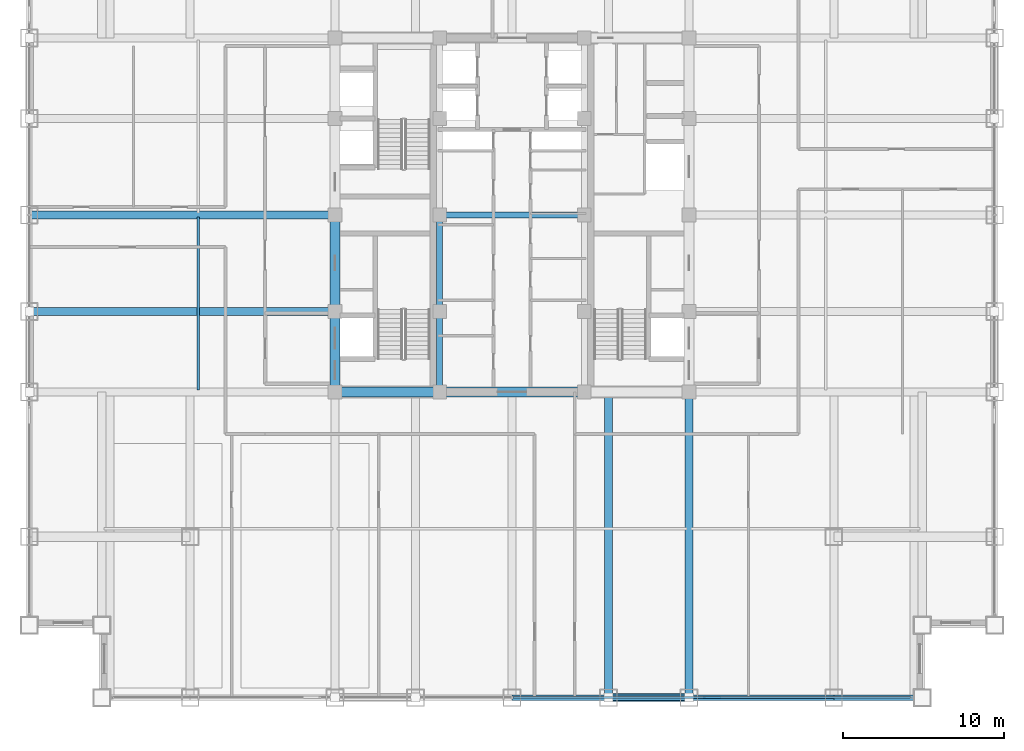
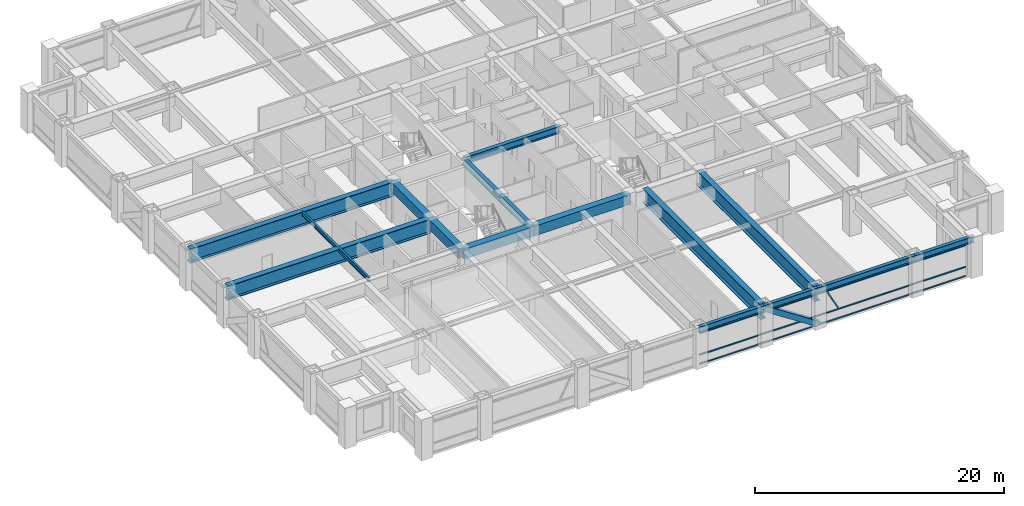
# One storey, part 7 of 26: 16 beams, 5 members, 1 element without a shape of its own.
"""IFC4 building model written with IfcOpenShell, lengths in metres."""

from ifc_helpers import new_model, si_unit, direction, frame, origin, origin_2d, place, context, subcontext, project, spatial, rectangle, hollow_rectangle, i_section, extrude, source, transform, mapped, material, material_profile, profile_set, type_object, element, aggregate, save


model = new_model("IFC4")

# Units and contexts
model_context = context("Model", 3, precision=1e-05, world=origin(), true_north=direction((0.0, 1.0)))
body_context = subcontext(model_context, "Body", "Model", "MODEL_VIEW")
ifc_project = project(units=[si_unit("LENGTHUNIT", "METRE"), si_unit("AREAUNIT", "SQUARE_METRE"), si_unit("VOLUMEUNIT", "CUBIC_METRE"), si_unit("PLANEANGLEUNIT", "RADIAN"), si_unit("MASSUNIT", "GRAM", prefix="KILO")], contexts=[model_context])

# Site, building, storey
site_placement = place(None, origin())
site = spatial("IfcSite", under=ifc_project, at=site_placement, CompositionType="ELEMENT")
building_placement = place(site_placement, origin())
building = spatial("IfcBuilding", under=site, at=building_placement, Name="Khorayat Bourse Tower", CompositionType="ELEMENT")
storey_placement = place(building_placement, frame((0.0, 0.0, 207.10009765625)))
storey = spatial("IfcBuildingStorey", under=building, at=storey_placement, Name="L48", CompositionType="ELEMENT", Elevation=207.10009765625)

# Beams
ifc_material_1 = material(Name="Steel ASTM A992 Grade 50", Category="steel")
ifc_material_profile_1 = material_profile(ifc_material_1, i_section(OverallWidth=0.35498046875, OverallDepth=0.695068359375, WebThickness=0.015380859375, FlangeThickness=0.02490234375, FilletRadius=0.01806640625, at=origin_2d()), Name="W690X217")
ifc_profile_set_1 = profile_set([ifc_material_profile_1], Name="Steel ASTM A992 Grade 50")
beam_type_1 = type_object("IfcBeamType", Name="BM-GIRD-690", PredefinedType="BEAM", material=ifc_profile_set_1)
shared_shape_1 = source(origin(), body_context, "Body", "SweptSolid", [
    extrude(i_section(OverallWidth=0.35498046875, OverallDepth=0.695068359375, WebThickness=0.015380859375, FlangeThickness=0.02490234375, FilletRadius=0.01806640625, at=origin_2d()), origin(), (0.0, 0.0, 1.0), 5.0),
])
beam_1_placement = place(storey_placement, frame((-4.5, -11.0, 3.432373046875), z_axis=(0.0, 1.0, 0.0), x_axis=(-1.0, 0.0, 0.0)))
element("IfcBeam", 1, at=beam_1_placement, inside=storey, type_object=beam_type_1, Name="L48 BM-GIRD-690 BM-L48-CRX-05", PredefinedType="BEAM", context=body_context, shape_type="MappedRepresentation", body=[
    mapped(shared_shape_1, transform((0.0, 0.0, 0.0), scale=1.0)),
])
shared_shape_2 = source(origin(), body_context, "Body", "SweptSolid", [
    extrude(i_section(OverallWidth=0.35498046875, OverallDepth=0.695068359375, WebThickness=0.015380859375, FlangeThickness=0.02490234375, FilletRadius=0.01806640625, at=origin_2d()), origin(), (0.0, 0.0, 1.0), 6.0),
])
beam_2_placement = place(storey_placement, frame((-4.5, -6.0, 3.432373046875), z_axis=(0.0, 1.0, 0.0), x_axis=(-1.0, 0.0, 0.0)))
element("IfcBeam", 2, at=beam_2_placement, inside=storey, type_object=beam_type_1, Name="L48 BM-GIRD-690 BM-L48-CRX-06", PredefinedType="BEAM", context=body_context, shape_type="MappedRepresentation", body=[
    mapped(shared_shape_2, transform((0.0, 0.0, 0.0), scale=1.0)),
])
shared_shape_3 = source(origin(), body_context, "Body", "SweptSolid", [
    extrude(i_section(OverallWidth=0.35498046875, OverallDepth=0.695068359375, WebThickness=0.015380859375, FlangeThickness=0.02490234375, FilletRadius=0.01806640625, at=origin_2d()), origin(), (0.0, 0.0, 1.0), 9.0),
])
beam_3_placement = place(storey_placement, frame((-4.5, 0.0, 3.432373046875), z_axis=(1.0, 0.0, 0.0), x_axis=(0.0, 1.0, 0.0)))
element("IfcBeam", 3, at=beam_3_placement, inside=storey, type_object=beam_type_1, Name="L48 BM-GIRD-690 BM-L48-CRY-23", PredefinedType="BEAM", context=body_context, shape_type="MappedRepresentation", body=[
    mapped(shared_shape_3, transform((0.0, 0.0, 0.0), scale=1.0)),
])
ifc_material_profile_2 = material_profile(ifc_material_1, i_section(OverallWidth=0.180908203125, OverallDepth=0.4169921875, WebThickness=0.010986328125, FlangeThickness=0.018310546875, FilletRadius=0.011962890625, at=origin_2d()), Name="W410X85")
ifc_profile_set_2 = profile_set([ifc_material_profile_2], Name="Steel ASTM A992 Grade 50")
beam_type_2 = type_object("IfcBeamType", Name="BM-JOIST-410", PredefinedType="JOIST", material=ifc_profile_set_2)
shared_shape_4 = source(origin(), body_context, "Body", "SweptSolid", [
    extrude(i_section(OverallWidth=0.180908203125, OverallDepth=0.4169921875, WebThickness=0.010986328125, FlangeThickness=0.018310546875, FilletRadius=0.011962890625, at=origin_2d()), origin(), (0.0, 0.0, 1.0), 10.740234375),
])
beam_4_placement = place(storey_placement, frame((-19.5, -10.8701171875, 3.5712890625), z_axis=(0.0, 1.0, 0.0), x_axis=(-1.0, 0.0, 0.0)))
element("IfcBeam", 4, at=beam_4_placement, inside=storey, type_object=beam_type_2, Name="L48 BM-JOIST-410 BM-L48-JSTY-110", PredefinedType="JOIST", context=body_context, shape_type="MappedRepresentation", body=[
    mapped(shared_shape_4, transform((0.0, 0.0, 0.0), scale=1.0)),
])
ifc_material_profile_3 = material_profile(ifc_material_1, i_section(OverallWidth=0.324951171875, OverallDepth=0.615966796875, WebThickness=0.013916015625, FlangeThickness=0.021484375, FilletRadius=0.01611328125, at=origin_2d()), Name="W610X174")
ifc_profile_set_3 = profile_set([ifc_material_profile_3], Name="Steel ASTM A992 Grade 50")
beam_type_3 = type_object("IfcBeamType", Name="BM-SPAN-610", PredefinedType="SPANDREL", material=ifc_profile_set_3)
shared_shape_5 = source(origin(), body_context, "Body", "SweptSolid", [
    extrude(i_section(OverallWidth=0.324951171875, OverallDepth=0.615966796875, WebThickness=0.013916015625, FlangeThickness=0.021484375, FilletRadius=0.01611328125, at=origin_2d()), origin(), (0.0, 0.0, 1.0), 5.5),
])
beam_5_placement = place(storey_placement, frame((20.0, -30.0, 3.471923828125), z_axis=(1.0, 0.0, 0.0), x_axis=(0.0, 1.0, 0.0)))
element("IfcBeam", 5, at=beam_5_placement, inside=storey, type_object=beam_type_3, Name="L48 BM-SPAN-610 BM-L48-SPN-031", PredefinedType="SPANDREL", context=body_context, shape_type="MappedRepresentation", body=[
    mapped(shared_shape_5, transform((0.0, 0.0, 0.0), scale=1.0)),
])
shared_shape_6 = source(origin(), body_context, "Body", "SweptSolid", [
    extrude(i_section(OverallWidth=0.324951171875, OverallDepth=0.615966796875, WebThickness=0.013916015625, FlangeThickness=0.021484375, FilletRadius=0.01611328125, at=origin_2d()), origin(), (0.0, 0.0, 1.0), 9.0),
])
beam_6_placement = place(storey_placement, frame((11.0, -30.0, 3.471923828125), z_axis=(1.0, 0.0, 0.0), x_axis=(0.0, 1.0, 0.0)))
element("IfcBeam", 6, at=beam_6_placement, inside=storey, type_object=beam_type_3, Name="L48 BM-SPAN-610 BM-L48-SPN-030", PredefinedType="SPANDREL", context=body_context, shape_type="MappedRepresentation", body=[
    mapped(shared_shape_6, transform((0.0, 0.0, 0.0), scale=1.0)),
])
shared_shape_7 = source(origin(), body_context, "Body", "SweptSolid", [
    extrude(i_section(OverallWidth=0.324951171875, OverallDepth=0.615966796875, WebThickness=0.013916015625, FlangeThickness=0.021484375, FilletRadius=0.01611328125, at=origin_2d()), origin(), (0.0, 0.0, 1.0), 5.0),
])
beam_7_placement = place(storey_placement, frame((6.0, -30.0, 3.471923828125), z_axis=(1.0, 0.0, 0.0), x_axis=(0.0, 1.0, 0.0)))
element("IfcBeam", 7, at=beam_7_placement, inside=storey, type_object=beam_type_3, Name="L48 BM-SPAN-610 BM-L48-SPN-029", PredefinedType="SPANDREL", context=body_context, shape_type="MappedRepresentation", body=[
    mapped(shared_shape_7, transform((0.0, 0.0, 0.0), scale=1.0)),
])
shared_shape_8 = source(origin(), body_context, "Body", "SweptSolid", [
    extrude(i_section(OverallWidth=0.324951171875, OverallDepth=0.615966796875, WebThickness=0.013916015625, FlangeThickness=0.021484375, FilletRadius=0.01611328125, at=origin_2d()), origin(), (0.0, 0.0, 1.0), 6.0),
])
beam_8_placement = place(storey_placement, frame((0.0, -30.0, 3.471923828125), z_axis=(1.0, 0.0, 0.0), x_axis=(0.0, 1.0, 0.0)))
element("IfcBeam", 8, at=beam_8_placement, inside=storey, type_object=beam_type_3, Name="L48 BM-SPAN-610 BM-L48-SPN-028", PredefinedType="SPANDREL", context=body_context, shape_type="MappedRepresentation", body=[
    mapped(shared_shape_8, transform((0.0, 0.0, 0.0), scale=1.0)),
])

# Member
ifc_material_2 = material(Name="Steel EN 10025-4 S460M", Category="steel")
ifc_material_profile_4 = material_profile(ifc_material_2, hollow_rectangle(XDim=0.5, YDim=0.5, WallThickness=0.028076171875, at=origin_2d()), Name="HSS 500x500x28")
ifc_profile_set_4 = profile_set([ifc_material_profile_4], Name="Steel EN 10025-4 S460M")
member_type_1 = type_object("IfcMemberType", Name="MBR-TUBE-500", PredefinedType="BRACE", material=ifc_profile_set_4)
shared_shape_9 = source(origin(), body_context, "Body", "SweptSolid", [
    extrude(hollow_rectangle(XDim=0.5, YDim=0.5, WallThickness=0.028076171875, at=origin_2d()), origin(), (0.0, 0.0, 1.0), 5.979736328125),
])
member_1_placement = place(storey_placement, frame((6.0, -30.0, 3.52978515625), z_axis=(0.836160261256, 0.0, -0.548485202623), x_axis=(0.0, 1.0, 0.0)))
element("IfcMember", 9, at=member_1_placement, inside=storey, type_object=member_type_1, Name="L48 Perimeter Tube Brace 02", PredefinedType="BRACE", context=body_context, shape_type="MappedRepresentation", body=[
    mapped(shared_shape_9, transform((0.0, 0.0, 0.0), scale=1.0)),
])

# Beams
ifc_material_3 = material(Name="Concrete C60/75", Category="concrete")
ifc_material_profile_5 = material_profile(ifc_material_3, rectangle(XDim=0.60009765625, YDim=0.949951171875, at=origin_2d()), Name="RC 600x950")
ifc_profile_set_5 = profile_set([ifc_material_profile_5], Name="Concrete C60/75")
beam_type_4 = type_object("IfcBeamType", Name="BM-COUP-950", PredefinedType="BEAM", material=ifc_profile_set_5)
shared_shape_10 = source(origin(), body_context, "Body", "SweptSolid", [
    extrude(rectangle(XDim=0.60009765625, YDim=0.949951171875, at=origin_2d()), origin(), (0.0, 0.0, 1.0), 5.0),
])
beam_9_placement = place(storey_placement, frame((-11.0, -11.0, 3.304931640625), z_axis=(0.0, 1.0, 0.0), x_axis=(-1.0, 0.0, 0.0)))
element("IfcBeam", 10, at=beam_9_placement, inside=storey, type_object=beam_type_4, Name="L48 BM-COUP-950 BM-L48-CRX-01", PredefinedType="BEAM", context=body_context, shape_type="MappedRepresentation", body=[
    mapped(shared_shape_10, transform((0.0, 0.0, 0.0), scale=1.0)),
])
shared_shape_11 = source(origin(), body_context, "Body", "SweptSolid", [
    extrude(rectangle(XDim=0.60009765625, YDim=0.949951171875, at=origin_2d()), origin(), (0.0, 0.0, 1.0), 6.0),
])
beam_10_placement = place(storey_placement, frame((-11.0, -6.0, 3.304931640625), z_axis=(0.0, 1.0, 0.0), x_axis=(-1.0, 0.0, 0.0)))
element("IfcBeam", 11, at=beam_10_placement, inside=storey, type_object=beam_type_4, Name="L48 BM-COUP-950 BM-L48-CRX-02", PredefinedType="BEAM", context=body_context, shape_type="MappedRepresentation", body=[
    mapped(shared_shape_11, transform((0.0, 0.0, 0.0), scale=1.0)),
])
shared_shape_12 = source(origin(), body_context, "Body", "SweptSolid", [
    extrude(rectangle(XDim=0.60009765625, YDim=0.949951171875, at=origin_2d()), origin(), (0.0, 0.0, 1.0), 6.5),
])
beam_11_placement = place(storey_placement, frame((-11.0, -11.0, 3.304931640625), z_axis=(1.0, 0.0, 0.0), x_axis=(0.0, 1.0, 0.0)))
element("IfcBeam", 12, at=beam_11_placement, inside=storey, type_object=beam_type_4, Name="L48 BM-COUP-950 BM-L48-CRY-17", PredefinedType="BEAM", context=body_context, shape_type="MappedRepresentation", body=[
    mapped(shared_shape_12, transform((0.0, 0.0, 0.0), scale=1.0)),
])
shared_shape_13 = source(origin(), body_context, "Body", "SweptSolid", [
    extrude(rectangle(XDim=0.60009765625, YDim=0.949951171875, at=origin_2d()), origin(), (0.0, 0.0, 1.0), 9.0),
])
beam_12_placement = place(storey_placement, frame((-4.5, -11.0, 3.304931640625), z_axis=(1.0, 0.0, 0.0), x_axis=(0.0, 1.0, 0.0)))
element("IfcBeam", 13, at=beam_12_placement, inside=storey, type_object=beam_type_4, Name="L48 BM-COUP-950 BM-L48-CRY-18", PredefinedType="BEAM", context=body_context, shape_type="MappedRepresentation", body=[
    mapped(shared_shape_13, transform((0.0, 0.0, 0.0), scale=1.0)),
])
ifc_material_profile_6 = material_profile(ifc_material_2, i_section(OverallWidth=0.5, OverallDepth=1.39990234375, WebThickness=0.02490234375, FlangeThickness=0.050048828125, at=origin_2d()), Name="PG 1400x500x25x50")
ifc_profile_set_6 = profile_set([ifc_material_profile_6], Name="Steel EN 10025-4 S460M")
beam_type_5 = type_object("IfcBeamType", Name="BM-TR-1400", PredefinedType="BEAM", material=ifc_profile_set_6)
shared_shape_14 = source(origin(), body_context, "Body", "SweptSolid", [
    extrude(i_section(OverallWidth=0.5, OverallDepth=1.39990234375, WebThickness=0.02490234375, FlangeThickness=0.050048828125, at=origin_2d()), origin(), (0.0, 0.0, 1.0), 19.0),
])
for number, where, z_axis, x_axis, name in (
    (14, (6.0, -30.0, 3.079833984375), (0.0, 1.0, 0.0), (-1.0, 0.0, 0.0), "L48 BM-TR-1400 BM-L48-RADY-071"),
    (15, (11.0, -30.0, 3.079833984375), (0.0, 1.0, 0.0), (-1.0, 0.0, 0.0), "L48 BM-TR-1400 BM-L48-RADY-073"),
    (16, (-30.0, -6.0, 3.079833984375), (1.0, 0.0, 0.0), (0.0, 1.0, 0.0), "L48 BM-TR-1400 BM-L48-RADX-077"),
    (17, (-30.0, 0.0, 3.079833984375), (1.0, 0.0, 0.0), (0.0, 1.0, 0.0), "L48 BM-TR-1400 BM-L48-RADX-079"),
):
    element("IfcBeam", number, at=place(storey_placement, frame(where, z_axis=z_axis, x_axis=x_axis)), inside=storey, type_object=beam_type_5, Name=name, PredefinedType="BEAM", context=body_context, shape_type="MappedRepresentation", body=[
        mapped(shared_shape_14, transform((0.0, 0.0, 0.0), scale=1.0)),
    ])

# Curtain wall, members
ifc_material_4 = material(Name="Aluminium EN AW-6063 T6", Category="aluminium")
curtain_wall_type = type_object("IfcCurtainWallType", Name="CW-SYS-03", PredefinedType="NOTDEFINED", material=ifc_material_4)
curtain_wall_placement = place(storey_placement, origin())
curtain_wall = element("IfcCurtainWall", 18, at=curtain_wall_placement, inside=storey, type_object=curtain_wall_type, Name="L48 Curtain Wall CW-L48-S1", PredefinedType="NOTDEFINED")
ifc_material_profile_7 = material_profile(ifc_material_4, hollow_rectangle(XDim=0.1201171875, YDim=0.1201171875, WallThickness=0.0048828125, at=origin_2d()), Name="ALU 120x120x5")
ifc_profile_set_7 = profile_set([ifc_material_profile_7], Name="Aluminium EN AW-6063 T6")
member_type_2 = type_object("IfcMemberType", Name="CWM-DIAG-120", PredefinedType="MULLION", material=ifc_profile_set_7)
shared_shape_15 = source(origin(), body_context, "Body", "SweptSolid", [
    extrude(hollow_rectangle(XDim=0.1201171875, YDim=0.1201171875, WallThickness=0.0048828125, at=origin_2d()), origin(), (0.0, 0.0, 1.0), 2.079345703125),
])
member_2_placement = place(storey_placement, frame((12.904296875, -30.0, 1.08984375), z_axis=(-0.465760949701, 0.0, 0.884910581773), x_axis=(0.0, -1.0, 0.0)))
member_2 = element("IfcMember", 19, at=member_2_placement, type_object=member_type_2, Name="CW-L48-S1 Faceted Diagonal Mullion 2", PredefinedType="MULLION", context=body_context, shape_type="MappedRepresentation", body=[
    mapped(shared_shape_15, transform((0.0, 0.0, 0.0), scale=1.0)),
])
ifc_material_profile_8 = material_profile(ifc_material_4, hollow_rectangle(XDim=0.1201171875, YDim=0.1201171875, WallThickness=0.0048828125, at=origin_2d()), Name="ALU 120x120x5")
ifc_profile_set_8 = profile_set([ifc_material_profile_8], Name="Aluminium EN AW-6063 T6")
member_type_3 = type_object("IfcMemberType", Name="CWT-HORZ-120", PredefinedType="USERDEFINED", material=ifc_profile_set_8)
shared_shape_16 = source(origin(), body_context, "Body", "SweptSolid", [
    extrude(hollow_rectangle(XDim=0.1201171875, YDim=0.1201171875, WallThickness=0.0048828125, at=origin_2d()), origin(), (0.0, 0.0, 1.0), 24.719970703125),
])
member_3_placement = place(storey_placement, frame((0.06005859375, -30.0, 0.059814453125), z_axis=(1.0, 0.0, 0.0), x_axis=(0.0, 1.0, 0.0)))
member_3 = element("IfcMember", 20, at=member_3_placement, type_object=member_type_3, Name="CW-L48-S1 Horizontal Transom 2-1", ObjectType="TRANSOM", PredefinedType="USERDEFINED", context=body_context, shape_type="MappedRepresentation", body=[
    mapped(shared_shape_16, transform((0.0, 0.0, 0.0), scale=1.0)),
])
member_4_placement = place(storey_placement, frame((0.06005859375, -30.0, 0.949951171875), z_axis=(1.0, 0.0, 0.0), x_axis=(0.0, 1.0, 0.0)))
member_4 = element("IfcMember", 21, at=member_4_placement, type_object=member_type_3, Name="CW-L48-S1 Horizontal Transom 2-2", ObjectType="TRANSOM", PredefinedType="USERDEFINED", context=body_context, shape_type="MappedRepresentation", body=[
    mapped(shared_shape_16, transform((0.0, 0.0, 0.0), scale=1.0)),
])
member_5_placement = place(storey_placement, frame((0.06005859375, -30.0, 3.06982421875), z_axis=(1.0, 0.0, 0.0), x_axis=(0.0, 1.0, 0.0)))
member_5 = element("IfcMember", 22, at=member_5_placement, type_object=member_type_3, Name="CW-L48-S1 Horizontal Transom 2-3", ObjectType="TRANSOM", PredefinedType="USERDEFINED", context=body_context, shape_type="MappedRepresentation", body=[
    mapped(shared_shape_16, transform((0.0, 0.0, 0.0), scale=1.0)),
])
aggregate(curtain_wall, [member_3, member_4, member_5, member_2])

save(model, "model.ifc")
